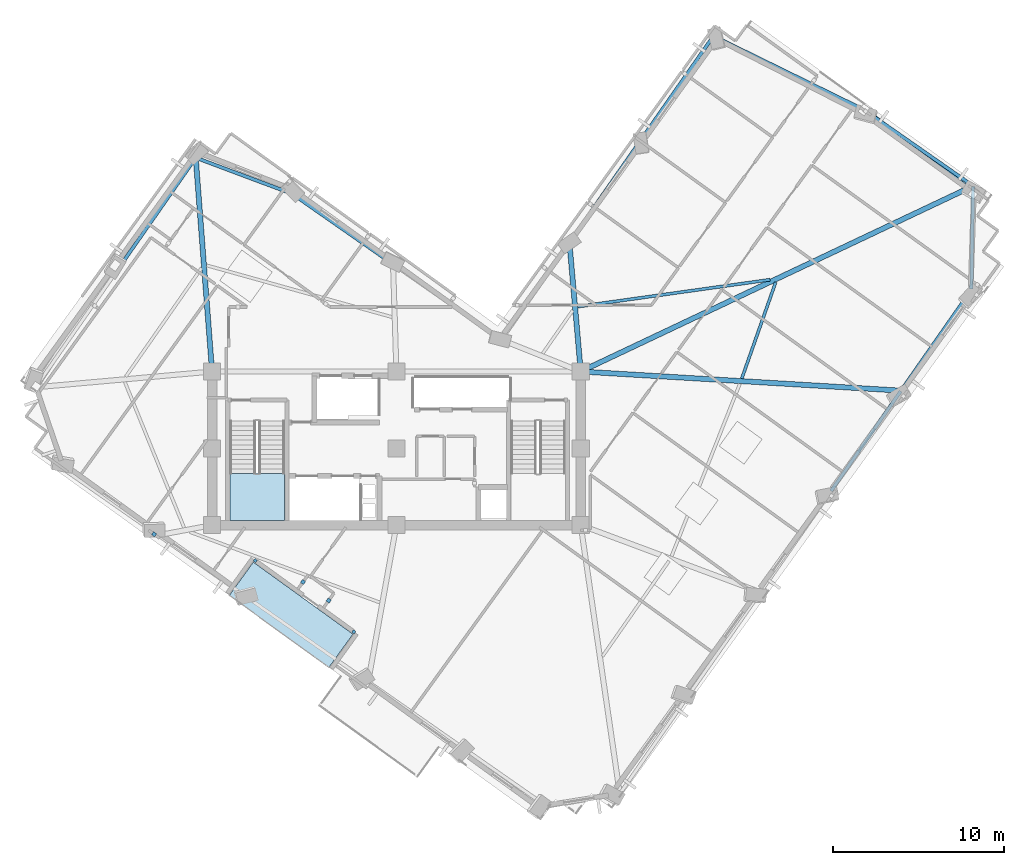
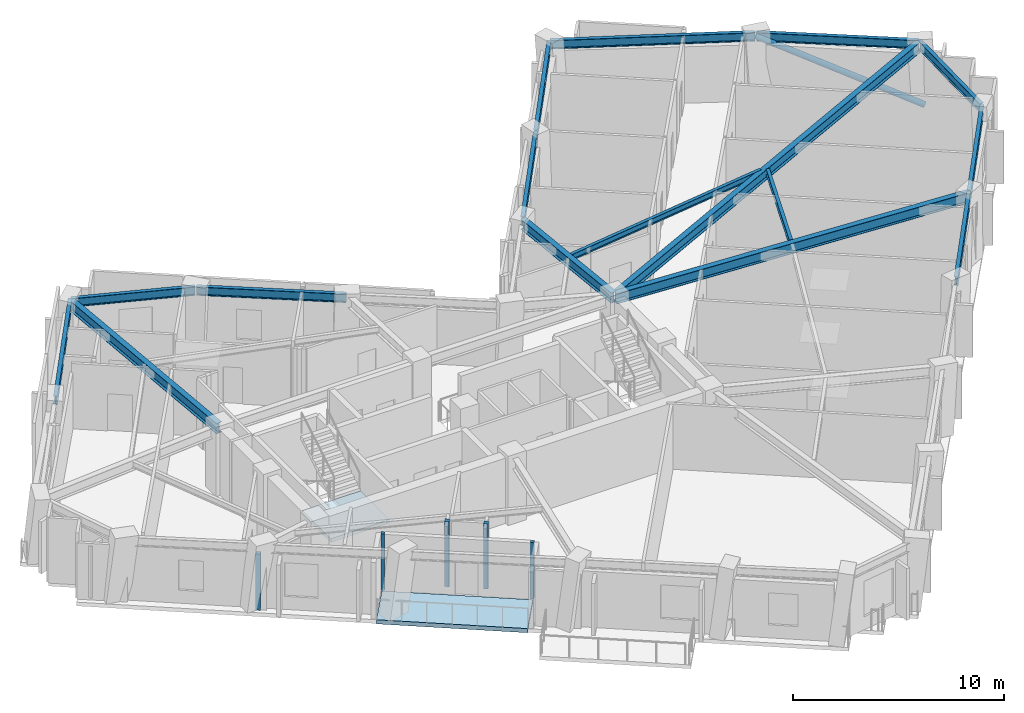
# One storey, part 2 of 13: 16 beams, 5 plates, 2 slabs, 1 member, 1 element without a shape of its own.
"""IFC4 building model written with IfcOpenShell, lengths in metres."""

import ifcopenshell
import ifcopenshell.guid

model = None  # the IFC model being written
_history = None  # IfcOwnerHistory: only IFC2X3 demands one
_inside = {}  # id of a spatial element -> (the spatial element, [elements in it])
_under = {}  # id of a project, library or spatial element -> (it, [spatial elements below it])
_declared = {}  # id of a project -> (the project, [libraries it declares])
_typed = {}  # id of a type object -> (the type object, [elements of that type])
_made_of = {}  # id of a material, layer set ... -> (it, [elements and type objects made of it])


def new_model(schema):
    """Start an empty IFC model of exactly this schema.

    Asked for "IFC4X3", IfcOpenShell would pick the latest addendum, in which some entities
    have other attributes; the version numbers below select the first issue.
    IFC2X3 requires an IfcOwnerHistory on every rooted entity: one is made here for all.
    """
    global model, _history
    if schema == "IFC4X3":
        model = ifcopenshell.file(schema_version=(4, 3, 0, 0))
    else:
        model = ifcopenshell.file(schema=schema)
    _inside.clear()
    _under.clear()
    _declared.clear()
    _typed.clear()
    _made_of.clear()
    _history = None
    if model.schema == "IFC2X3":
        org = make("IfcOrganization", Name="unknown")
        user = make(
            "IfcPersonAndOrganization",
            ThePerson=make("IfcPerson", FamilyName="unknown"),
            TheOrganization=org,
        )
        app = make(
            "IfcApplication",
            ApplicationDeveloper=org,
            Version="unknown",
            ApplicationFullName="unknown",
            ApplicationIdentifier="unknown",
        )
        _history = make(
            "IfcOwnerHistory",
            OwningUser=user,
            OwningApplication=app,
            ChangeAction="ADDED",
            CreationDate=0,
        )
    return model


def make(cls, **values):
    """One entity of the class cls with the attributes given. An attribute that is None is left unset."""
    return model.create_entity(
        cls, **{name: value for name, value in values.items() if value is not None}
    )


def rooted(cls, **values):
    """An entity with a GlobalId (a new one), such as an element, a storey or a relation."""
    return make(cls, GlobalId=ifcopenshell.guid.new(), OwnerHistory=_history, **values)


def si_unit(unit_type, name, prefix=None):
    """IfcSIUnit, for example si_unit("LENGTHUNIT", "METRE", prefix="MILLI")."""
    return make("IfcSIUnit", UnitType=unit_type, Prefix=prefix, Name=name)


def assignment(units):
    """IfcUnitAssignment: the units of a project."""
    return None if units is None else make("IfcUnitAssignment", Units=units)


def point(xyz):
    """IfcCartesianPoint."""
    return None if xyz is None else make("IfcCartesianPoint", Coordinates=xyz)


def direction(xyz):
    """IfcDirection."""
    return None if xyz is None else make("IfcDirection", DirectionRatios=xyz)


def frame(location, z_axis=None, x_axis=None):
    """IfcAxis2Placement3D, a coordinate frame: its origin and axes. An axis left out is left unset."""
    return make(
        "IfcAxis2Placement3D",
        Location=point(location),
        Axis=direction(z_axis),
        RefDirection=direction(x_axis),
    )


def frame_2d(location, x_axis=None):
    """IfcAxis2Placement2D, a coordinate frame in the plane: its origin and x axis."""
    return make(
        "IfcAxis2Placement2D", Location=point(location), RefDirection=direction(x_axis)
    )


def origin():
    """The frame at (0, 0, 0) with its axes left unset."""
    return frame((0.0, 0.0, 0.0))


def origin_2d():
    """The frame at (0, 0) in the plane with its x axis left unset."""
    return frame_2d((0.0, 0.0))


def place(relative_to, where):
    """IfcLocalPlacement: puts the frame where relative to a parent placement (None: the world)."""
    return make(
        "IfcLocalPlacement", PlacementRelTo=relative_to, RelativePlacement=where
    )


def context(
    kind, dimensions, precision=None, world=None, true_north=None, identifier=None
):
    """IfcGeometricRepresentationContext, for example the 3D "Model" context."""
    return make(
        "IfcGeometricRepresentationContext",
        ContextIdentifier=identifier,
        ContextType=kind,
        CoordinateSpaceDimension=dimensions,
        Precision=precision,
        WorldCoordinateSystem=world,
        TrueNorth=true_north,
    )


def subcontext(parent, identifier, kind, view, scale=None):
    """IfcGeometricRepresentationSubContext, for example "Body" below "Model"."""
    return make(
        "IfcGeometricRepresentationSubContext",
        ContextIdentifier=identifier,
        ContextType=kind,
        ParentContext=parent,
        TargetScale=scale,
        TargetView=view,
    )


def project(units=None, contexts=None):
    """IfcProject with its units and contexts."""
    return rooted(
        "IfcProject",
        Name="project",
        RepresentationContexts=contexts,
        UnitsInContext=assignment(units),
    )


def spatial(cls, under=None, at=None, **own):
    """A site, building, storey or space (cls), placed at a placement, below another one or the project."""
    s = rooted(cls, ObjectPlacement=at, **own)
    if under is not None:
        _under.setdefault(under.id(), (under, []))[1].append(s)
    return s


def polyline(points):
    """IfcPolyline through the points."""
    return make("IfcPolyline", Points=[point(p) for p in points])


def profile(cls, at=None, kind="AREA", **sizes):
    """A parametric profile (cls). Its sizes go by their IFC names, for example OverallWidth=200.0."""
    return make(cls, ProfileType=kind, Position=at, **sizes)


def rectangle(**sizes):
    """IfcRectangleProfileDef."""
    return profile("IfcRectangleProfileDef", **sizes)


def hollow_circle(**sizes):
    """IfcCircleHollowProfileDef."""
    return profile("IfcCircleHollowProfileDef", **sizes)


def i_section(**sizes):
    """IfcIShapeProfileDef."""
    return profile("IfcIShapeProfileDef", **sizes)


def outline(outer, holes=None, kind="AREA"):
    """IfcArbitraryClosedProfileDef: a profile drawn as a closed curve; with holes, ...WithVoids."""
    if holes is None:
        return make("IfcArbitraryClosedProfileDef", ProfileType=kind, OuterCurve=outer)
    return make(
        "IfcArbitraryProfileDefWithVoids",
        ProfileType=kind,
        OuterCurve=outer,
        InnerCurves=holes,
    )


def extrude(swept, where, along, depth):
    """IfcExtrudedAreaSolid: the profile swept, set in the frame where, extruded along a direction by depth."""
    return make(
        "IfcExtrudedAreaSolid",
        SweptArea=swept,
        Position=where,
        ExtrudedDirection=direction(along),
        Depth=depth,
    )


def shape(context_of_items, identifier, shape_type, items):
    """IfcShapeRepresentation: the items that make up one representation, for example the "Body"."""
    return make(
        "IfcShapeRepresentation",
        ContextOfItems=context_of_items,
        RepresentationIdentifier=identifier,
        RepresentationType=shape_type,
        Items=items,
    )


def material(Name=None, Category=None):
    """IfcMaterial."""
    return make("IfcMaterial", Name=Name, Category=Category)


def layer(
    of_material, thickness, ventilated=None, Name=None, Category=None, Priority=None
):
    """IfcMaterialLayer: one layer of a wall or slab, of a material (None: an air gap)."""
    return make(
        "IfcMaterialLayer",
        Material=of_material,
        LayerThickness=thickness,
        IsVentilated=ventilated,
        Name=Name,
        Category=Category,
        Priority=Priority,
    )


def layer_set(layers, Name=None):
    """IfcMaterialLayerSet."""
    return make("IfcMaterialLayerSet", MaterialLayers=layers, LayerSetName=Name)


def material_profile(
    of_material, cross_section, Name=None, Category=None, Priority=None
):
    """IfcMaterialProfile: a cross section and its material."""
    return make(
        "IfcMaterialProfile",
        Name=Name,
        Material=of_material,
        Profile=cross_section,
        Priority=Priority,
        Category=Category,
    )


def profile_set(profiles, Name=None, composite=None):
    """IfcMaterialProfileSet."""
    return make(
        "IfcMaterialProfileSet",
        Name=Name,
        MaterialProfiles=profiles,
        CompositeProfile=composite,
    )


def made_of(thing, what):
    """Note that an element or type object is made of a material, layer set ...; save() writes the relation."""
    if what is not None:
        _made_of.setdefault(what.id(), (what, []))[1].append(thing)
    return thing


def type_object(cls, material=None, **own):
    """A type object (cls), such as IfcWallType, which elements share."""
    return made_of(rooted(cls, **own), material)


def element(
    cls,
    number,
    at=None,
    inside=None,
    cuts=None,
    type_object=None,
    material=None,
    context=None,
    identifier="Body",
    shape_type=None,
    held_by="IfcProductDefinitionShape",
    body=None,
    shapes=None,
    **own,
):
    """One element of the class cls, such as IfcWall. Its Tag is "e" and its number.

    at: its placement. inside: the storey or other place that contains it. cuts: it is an
    opening in that element (IfcRelVoidsElement). A single representation is given by context,
    identifier, shape_type and body (its items); several are given by shapes. held_by: the class
    of the entity that holds the representations. save() writes the other relations.
    """
    e = rooted(cls, Tag="e%d" % number, ObjectPlacement=at, **own)
    if body is not None:
        shapes = [shape(context, identifier, shape_type, body)]
    if shapes is not None:
        e.Representation = make(held_by, Representations=shapes)
    if inside is not None:
        _inside.setdefault(inside.id(), (inside, []))[1].append(e)
    if cuts is not None:
        rooted(
            "IfcRelVoidsElement", RelatingBuildingElement=cuts, RelatedOpeningElement=e
        )
    if type_object is not None:
        _typed.setdefault(type_object.id(), (type_object, []))[1].append(e)
    return made_of(e, material)


def aggregate(whole, parts):
    """IfcRelAggregates: a whole, such as a stair, and the parts it consists of."""
    return rooted("IfcRelAggregates", RelatingObject=whole, RelatedObjects=parts)


def save(model, path):
    """Write the relations noted so far, then the file.

    IfcRelAggregates (storeys below a building ...), IfcRelContainedInSpatialStructure (elements
    in a storey), IfcRelDefinesByType, IfcRelAssociatesMaterial and IfcRelDeclares: one each for
    every whole, place, type object, material and project.
    """
    for whole, parts in _under.values():
        aggregate(whole, parts)
    for where, things in _inside.values():
        rooted(
            "IfcRelContainedInSpatialStructure",
            RelatedElements=things,
            RelatingStructure=where,
        )
    for kind, things in _typed.values():
        rooted("IfcRelDefinesByType", RelatedObjects=things, RelatingType=kind)
    for what, things in _made_of.values():
        rooted("IfcRelAssociatesMaterial", RelatedObjects=things, RelatingMaterial=what)
    for by, libraries in _declared.values():
        rooted("IfcRelDeclares", RelatingContext=by, RelatedDefinitions=libraries)
    model.write(path)


model = new_model("IFC4")

# Units and contexts
model_context = context("Model", 3, precision=1e-05, world=origin(), true_north=direction((0.0, 1.0)))
body_context = subcontext(model_context, "Body", "Model", "MODEL_VIEW")
ifc_project = project(units=[si_unit("LENGTHUNIT", "METRE"), si_unit("AREAUNIT", "SQUARE_METRE"), si_unit("VOLUMEUNIT", "CUBIC_METRE"), si_unit("PLANEANGLEUNIT", "RADIAN"), si_unit("MASSUNIT", "GRAM", prefix="KILO")], contexts=[model_context])

# Site, building, storey
site_placement = place(None, origin())
site = spatial("IfcSite", under=ifc_project, at=site_placement, CompositionType="ELEMENT")
building_placement = place(site_placement, origin())
building = spatial("IfcBuilding", under=site, at=building_placement, Name="Gaonmaruhae Medical Tower", CompositionType="ELEMENT")
storey_placement = place(building_placement, frame((0.0, 0.0, 255.199951171875)))
storey = spatial("IfcBuildingStorey", under=building, at=storey_placement, Name="L61", CompositionType="ELEMENT", Elevation=255.199951171875)

# Beams
ifc_material_1 = material(Name="Steel SM355", Category="steel")
ifc_material_profile_1 = material_profile(ifc_material_1, i_section(OverallWidth=0.175048828125, OverallDepth=0.35009765625, WebThickness=0.007080078125, FlangeThickness=0.010986328125, FilletRadius=0.012939453125, at=origin_2d()), Name="H-350x175x7x11")
ifc_profile_set_1 = profile_set([ifc_material_profile_1], Name="Steel SM355")
beam_type_1 = type_object("IfcBeamType", Name="FJ-02 Upper Zone Ward Floor Joist (H-350x175x7x11)", PredefinedType="JOIST", material=ifc_profile_set_1)
beam_1_placement = place(storey_placement, frame((45.03662109375, 16.39208984375, 3.60498046875), z_axis=(0.331978226293, 0.943287049242, 0.0), x_axis=(-0.943287049242, 0.331978226293, 0.0)))
element("IfcBeam", 1, at=beam_1_placement, inside=storey, type_object=beam_type_1, Name="L61 Secondary Floor Joist FJ03", PredefinedType="JOIST", context=body_context, shape_type="SweptSolid", body=[
    extrude(i_section(OverallWidth=0.175048828125, OverallDepth=0.35009765625, WebThickness=0.007080078125, FlangeThickness=0.010986328125, FilletRadius=0.012939453125, at=origin_2d()), origin(), (0.0, 0.0, 1.0), 5.9775390625),
])
beam_2_placement = place(storey_placement, frame((46.6962890625, 22.1796875, 3.60498046875), z_axis=(-0.990320473944, -0.138799707806, 0.0), x_axis=(0.138799707806, -0.990320473944, 0.0)))
element("IfcBeam", 2, at=beam_2_placement, inside=storey, type_object=beam_type_1, Name="L61 Secondary Floor Joist FJ04", PredefinedType="JOIST", context=body_context, shape_type="SweptSolid", body=[
    extrude(i_section(OverallWidth=0.175048828125, OverallDepth=0.35009765625, WebThickness=0.007080078125, FlangeThickness=0.010986328125, FilletRadius=0.012939453125, at=origin_2d()), origin(), (0.0, 0.0, 1.0), 11.3837890625),
])

# Member
ifc_material_profile_2 = material_profile(ifc_material_1, hollow_circle(Radius=0.1591796875, WallThickness=0.01025390625, at=origin_2d()), Name="CHS-318.5x10.3")
ifc_profile_set_2 = profile_set([ifc_material_profile_2], Name="Steel SM355")
member_type = type_object("IfcMemberType", Name="PB-03 Perimeter Solid-Bay Tube Brace Upper (CHS-318.5x10.3)", PredefinedType="BRACE", material=ifc_profile_set_2)
member_placement = place(storey_placement, frame((58.63037109375, 27.255859375, 0.25), z_axis=(-0.738686862007, 0.559334677425, 0.376146831074), x_axis=(-0.603668014775, -0.797235804476, 0.0)))
element("IfcMember", 3, at=member_placement, inside=storey, type_object=member_type, Name="L61 Perimeter Tube Solid-Bay Brace E01-E02", PredefinedType="BRACE", context=body_context, shape_type="SweptSolid", body=[
    extrude(hollow_circle(Radius=0.1591796875, WallThickness=0.01025390625, at=origin_2d()), origin(), (0.0, 0.0, 1.0), 8.719970703125),
])

# Beams
ifc_material_2 = material(Name="Steel SM420", Category="steel")
ifc_material_profile_3 = material_profile(ifc_material_2, i_section(OverallWidth=0.300048828125, OverallDepth=0.60009765625, WebThickness=0.011962890625, FlangeThickness=0.02001953125, FilletRadius=0.012939453125, at=origin_2d()), Name="H-600x300x12x20")
ifc_profile_set_3 = profile_set([ifc_material_profile_3], Name="Steel SM420")
beam_type_2 = type_object("IfcBeamType", Name="PG-04 Zone 4 Radial Floor Girder (H-600x300x12x20)", PredefinedType="BEAM", material=ifc_profile_set_3)
beam_3_placement = place(storey_placement, frame((35.64990234375, 16.797119140625, 3.47998046875), z_axis=(0.998218370386, -0.059666448057, 0.0), x_axis=(0.059666448057, 0.998218370386, 0.0)))
element("IfcBeam", 4, at=beam_3_placement, inside=storey, type_object=beam_type_2, Name="L61 Radial Primary Girder S05", PredefinedType="BEAM", context=body_context, shape_type="SweptSolid", body=[
    extrude(i_section(OverallWidth=0.300048828125, OverallDepth=0.60009765625, WebThickness=0.011962890625, FlangeThickness=0.02001953125, FilletRadius=0.012939453125, at=origin_2d()), origin(), (0.0, 0.0, 1.0), 18.69921875),
])
beam_4_placement = place(storey_placement, frame((35.645263671875, 16.8212890625, 3.47998046875), z_axis=(0.90400284208, 0.427526445394, 0.0), x_axis=(-0.427526445394, 0.90400284208, 0.0)))
element("IfcBeam", 5, at=beam_4_placement, inside=storey, type_object=beam_type_2, Name="L61 Radial Primary Girder E01", PredefinedType="BEAM", context=body_context, shape_type="SweptSolid", body=[
    extrude(i_section(OverallWidth=0.300048828125, OverallDepth=0.60009765625, WebThickness=0.011962890625, FlangeThickness=0.02001953125, FilletRadius=0.012939453125, at=origin_2d()), origin(), (0.0, 0.0, 1.0), 25.326904296875),
])
beam_5_placement = place(storey_placement, frame((35.595703125, 16.849853515625, 3.47998046875), z_axis=(-0.087547295914, 0.996160364087, 0.0), x_axis=(-0.996160364087, -0.087547295914, 0.0)))
element("IfcBeam", 6, at=beam_5_placement, inside=storey, type_object=beam_type_2, Name="L61 Radial Primary Girder EN02", PredefinedType="BEAM", context=body_context, shape_type="SweptSolid", body=[
    extrude(i_section(OverallWidth=0.300048828125, OverallDepth=0.60009765625, WebThickness=0.011962890625, FlangeThickness=0.02001953125, FilletRadius=0.012939453125, at=origin_2d()), origin(), (0.0, 0.0, 1.0), 7.48486328125),
])
beam_6_placement = place(storey_placement, frame((13.99609375, 16.849853515625, 3.47998046875), z_axis=(-0.076224602308, 0.997090672909, 0.0), x_axis=(-0.997090672909, -0.076224602308, 0.0)))
element("IfcBeam", 7, at=beam_6_placement, inside=storey, type_object=beam_type_2, Name="L61 Radial Primary Girder N01", PredefinedType="BEAM", context=body_context, shape_type="SweptSolid", body=[
    extrude(i_section(OverallWidth=0.300048828125, OverallDepth=0.60009765625, WebThickness=0.011962890625, FlangeThickness=0.02001953125, FilletRadius=0.012939453125, at=origin_2d()), origin(), (0.0, 0.0, 1.0), 12.462646484375),
])
ifc_material_profile_4 = material_profile(ifc_material_1, i_section(OverallWidth=0.199951171875, OverallDepth=0.5, WebThickness=0.010009765625, FlangeThickness=0.01611328125, FilletRadius=0.012939453125, at=origin_2d()), Name="H-500x200x10x16")
ifc_profile_set_4 = profile_set([ifc_material_profile_4], Name="Steel SM355")
beam_type_3 = type_object("IfcBeamType", Name="SP-02 Upper Perimeter Spandrel Beam (H-500x200x10x16)", PredefinedType="SPANDREL", material=ifc_profile_set_4)
beam_7_placement = place(storey_placement, frame((50.269287109375, 9.80615234375, 3.530029296875), z_axis=(0.572159068591, 0.820142670655, 0.0), x_axis=(-0.820142670655, 0.572159068591, 0.0)))
element("IfcBeam", 8, at=beam_7_placement, inside=storey, type_object=beam_type_3, Name="L61 Perimeter Spandrel Beam S04-S05", PredefinedType="SPANDREL", context=body_context, shape_type="SweptSolid", body=[
    extrude(i_section(OverallWidth=0.199951171875, OverallDepth=0.5, WebThickness=0.010009765625, FlangeThickness=0.01611328125, FilletRadius=0.012939453125, at=origin_2d()), origin(), (0.0, 0.0, 1.0), 7.119873046875),
])
beam_8_placement = place(storey_placement, frame((54.388671875, 15.711181640625, 3.530029296875), z_axis=(0.572142978389, 0.820153895486, 0.0), x_axis=(-0.820153895486, 0.572142978389, 0.0)))
element("IfcBeam", 9, at=beam_8_placement, inside=storey, type_object=beam_type_3, Name="L61 Perimeter Spandrel Beam S05-S06", PredefinedType="SPANDREL", context=body_context, shape_type="SweptSolid", body=[
    extrude(i_section(OverallWidth=0.199951171875, OverallDepth=0.5, WebThickness=0.010009765625, FlangeThickness=0.01611328125, FilletRadius=0.012939453125, at=origin_2d()), origin(), (0.0, 0.0, 1.0), 7.1201171875),
])
beam_9_placement = place(storey_placement, frame((58.48583984375, 21.62353515625, 3.530029296875), z_axis=(0.016579716285, 0.999862547057, 0.0), x_axis=(-0.999862547057, 0.016579716285, 0.0)))
element("IfcBeam", 10, at=beam_9_placement, inside=storey, type_object=beam_type_3, Name="L61 Perimeter Spandrel Beam S06-E01", PredefinedType="SPANDREL", context=body_context, shape_type="SweptSolid", body=[
    extrude(i_section(OverallWidth=0.199951171875, OverallDepth=0.5, WebThickness=0.010009765625, FlangeThickness=0.01611328125, FilletRadius=0.012939453125, at=origin_2d()), origin(), (0.0, 0.0, 1.0), 6.0078125),
])
beam_10_placement = place(storey_placement, frame((58.55322265625, 27.693359375, 3.530029296875), z_axis=(-0.820149041353, 0.572149936614, 0.0), x_axis=(-0.572149936614, -0.820149041353, 0.0)))
element("IfcBeam", 11, at=beam_10_placement, inside=storey, type_object=beam_type_3, Name="L61 Perimeter Spandrel Beam E01-E02", PredefinedType="SPANDREL", context=body_context, shape_type="SweptSolid", body=[
    extrude(i_section(OverallWidth=0.199951171875, OverallDepth=0.5, WebThickness=0.010009765625, FlangeThickness=0.01611328125, FilletRadius=0.012939453125, at=origin_2d()), origin(), (0.0, 0.0, 1.0), 7.719970703125),
])
beam_11_placement = place(storey_placement, frame((52.153076171875, 32.15087890625, 3.530029296875), z_axis=(-0.89795492386, 0.440087439853, 0.0), x_axis=(-0.440087439853, -0.89795492386, 0.0)))
element("IfcBeam", 12, at=beam_11_placement, inside=storey, type_object=beam_type_3, Name="L61 Perimeter Spandrel Beam E02-E03", PredefinedType="SPANDREL", context=body_context, shape_type="SweptSolid", body=[
    extrude(i_section(OverallWidth=0.199951171875, OverallDepth=0.5, WebThickness=0.010009765625, FlangeThickness=0.01611328125, FilletRadius=0.012939453125, at=origin_2d()), origin(), (0.0, 0.0, 1.0), 9.7353515625),
])
beam_12_placement = place(storey_placement, frame((43.352294921875, 36.420166015625, 3.530029296875), z_axis=(-0.572134563153, -0.820159765927, 0.0), x_axis=(0.820159765927, -0.572134563153, 0.0)))
element("IfcBeam", 13, at=beam_12_placement, inside=storey, type_object=beam_type_3, Name="L61 Perimeter Spandrel Beam E03-EN01", PredefinedType="SPANDREL", context=body_context, shape_type="SweptSolid", body=[
    extrude(i_section(OverallWidth=0.199951171875, OverallDepth=0.5, WebThickness=0.010009765625, FlangeThickness=0.01611328125, FilletRadius=0.012939453125, at=origin_2d()), origin(), (0.0, 0.0, 1.0), 7.47021484375),
])
beam_13_placement = place(storey_placement, frame((39.03271484375, 30.22802734375, 3.530029296875), z_axis=(-0.572142978389, -0.820153895486, 0.0), x_axis=(0.820153895486, -0.572142978389, 0.0)))
element("IfcBeam", 14, at=beam_13_placement, inside=storey, type_object=beam_type_3, Name="L61 Perimeter Spandrel Beam EN01-EN02", PredefinedType="SPANDREL", context=body_context, shape_type="SweptSolid", body=[
    extrude(i_section(OverallWidth=0.199951171875, OverallDepth=0.5, WebThickness=0.010009765625, FlangeThickness=0.01611328125, FilletRadius=0.012939453125, at=origin_2d()), origin(), (0.0, 0.0, 1.0), 7.1201171875),
])
beam_14_placement = place(storey_placement, frame((24.570556640625, 23.112548828125, 3.530029296875), z_axis=(-0.820142670655, 0.572159068591, 0.0), x_axis=(-0.572159068591, -0.820142670655, 0.0)))
element("IfcBeam", 15, at=beam_14_placement, inside=storey, type_object=beam_type_3, Name="L61 Perimeter Spandrel Beam NE01-NE02", PredefinedType="SPANDREL", context=body_context, shape_type="SweptSolid", body=[
    extrude(i_section(OverallWidth=0.199951171875, OverallDepth=0.5, WebThickness=0.010009765625, FlangeThickness=0.01611328125, FilletRadius=0.012939453125, at=origin_2d()), origin(), (0.0, 0.0, 1.0), 7.119873046875),
])
beam_15_placement = place(storey_placement, frame((18.660888671875, 27.22314453125, 3.530029296875), z_axis=(-0.936551232781, 0.35053072387, 0.0), x_axis=(-0.35053072387, -0.936551232781, 0.0)))
element("IfcBeam", 16, at=beam_15_placement, inside=storey, type_object=beam_type_3, Name="L61 Perimeter Spandrel Beam NE02-N01", PredefinedType="SPANDREL", context=body_context, shape_type="SweptSolid", body=[
    extrude(i_section(OverallWidth=0.199951171875, OverallDepth=0.5, WebThickness=0.010009765625, FlangeThickness=0.01611328125, FilletRadius=0.012939453125, at=origin_2d()), origin(), (0.0, 0.0, 1.0), 5.959228515625),
])
beam_16_placement = place(storey_placement, frame((13.019287109375, 29.293212890625, 3.530029296875), z_axis=(-0.572137856962, -0.820157468192, 0.0), x_axis=(0.820157468192, -0.572137856962, 0.0)))
element("IfcBeam", 17, at=beam_16_placement, inside=storey, type_object=beam_type_3, Name="L61 Perimeter Spandrel Beam N01-N02", PredefinedType="SPANDREL", context=body_context, shape_type="SweptSolid", body=[
    extrude(i_section(OverallWidth=0.199951171875, OverallDepth=0.5, WebThickness=0.010009765625, FlangeThickness=0.01611328125, FilletRadius=0.012939453125, at=origin_2d()), origin(), (0.0, 0.0, 1.0), 8.119873046875),
])

# Plates
ifc_material_3 = material(Name="Anodised aluminium 6063-T6", Category="aluminium")
ifc_layer_1 = layer(ifc_material_3, 0.011962890625)
ifc_layer_set_1 = layer_set([ifc_layer_1], Name="Anodised aluminium 6063-T6")
plate_type = type_object("IfcPlateType", Name="PP-01 Interior Partition Corner Stiffener Plate", PredefinedType="SHEET", material=ifc_layer_set_1)
for number, where, z_axis, x_axis, name in (
    (18, (22.303955078125, 1.55126953125, 0.0), (0.0, 0.0, 1.0), (-0.810553038353, 0.585665238866, 0.0), "L61 Partition End Jamb Post Plate PLT-L61-ENDP-TERB-0"),
    (19, (16.532958984375, 5.72119140625, 0.0), (0.0, 0.0, 1.0), (-0.810553038353, 0.585665238866, 0.0), "L61 Partition End Jamb Post Plate PLT-L61-ENDP-TERB-1"),
):
    element("IfcPlate", number, at=place(storey_placement, frame(where, z_axis=z_axis, x_axis=x_axis)), inside=storey, type_object=plate_type, Name=name, PredefinedType="SHEET", context=body_context, shape_type="SweptSolid", body=[
        extrude(rectangle(XDim=0.179931640625, YDim=0.179931640625, at=origin_2d()), origin(), (0.0, 0.0, 1.0), 3.264892578125),
    ])
for number, where, z_axis, x_axis, name in (
    (20, (20.83251953125, 3.382568359375, 0.0), (0.0, 0.0, 1.0), (0.585184143922, 0.810900436369, 0.0), "L61 Partition Corner Stiffener Plate PLT-L61-JGP-PW037"),
    (21, (19.3291015625, 4.468994140625, 0.0), (0.0, 0.0, 1.0), (-0.585353965676, -0.810777857904, 0.0), "L61 Partition Corner Stiffener Plate PLT-L61-JGP-PW041"),
):
    element("IfcPlate", number, at=place(storey_placement, frame(where, z_axis=z_axis, x_axis=x_axis)), inside=storey, type_object=plate_type, Name=name, PredefinedType="SHEET", context=body_context, shape_type="SweptSolid", body=[
        extrude(rectangle(XDim=0.219970703125, YDim=0.219970703125, at=origin_2d()), origin(), (0.0, 0.0, 1.0), 3.780029296875),
    ])
plate_placement = place(storey_placement, frame((10.60302734375, 7.26708984375, 0.0), z_axis=(0.0, 0.0, 1.0), x_axis=(-0.810614364629, 0.585580354739, 0.0)))
element("IfcPlate", 22, at=plate_placement, inside=storey, type_object=plate_type, Name="L61 Partition Corner Stiffener Plate PLT-L61-JGP-PW042", PredefinedType="SHEET", context=body_context, shape_type="SweptSolid", body=[
    extrude(rectangle(XDim=0.219970703125, YDim=0.219970703125, at=origin_2d()), origin(), (0.0, 0.0, 1.0), 3.2451171875),
])

# Stair, slab
ifc_material_4 = material(Name="Concrete C40/50", Category="concrete")
stair_type = type_object("IfcStairType", Name="ST-T1 Primary Core Escape Dogleg Stair", PredefinedType="TWO_QUARTER_TURN_STAIR", material=ifc_material_4)
stair_placement = place(storey_placement, origin())
stair = element("IfcStair", 23, at=stair_placement, inside=storey, type_object=stair_type, Name="L61 Protected Escape Stair ST-01", PredefinedType="TWO_QUARTER_TURN_STAIR")
ifc_layer_2 = layer(ifc_material_4, 0.199951171875)
ifc_layer_set_2 = layer_set([ifc_layer_2], Name="Concrete C40/50")
slab_type_1 = type_object("IfcSlabType", Name="SL-200 Stair & Ramp Intermediate Concrete Landing", PredefinedType="LANDING", material=ifc_layer_set_2)
slab_1_placement = place(storey_placement, frame((0.0, 0.0, 1.800048828125)))
slab_1 = element("IfcSlab", 24, at=slab_1_placement, type_object=slab_type_1, Name="ST-01 landing 1", PredefinedType="LANDING", context=body_context, shape_type="SweptSolid", body=[
    extrude(outline(polyline([(15.050048828125, 10.820068359375), (15.050048828125, 8.0791015625), (18.25, 8.0791015625), (18.25, 10.820068359375), (15.050048828125, 10.820068359375)])), origin(), (0.0, 0.0, 1.0), 0.199951171875),
])
aggregate(stair, [slab_1])

# Slab
ifc_layer_3 = layer(ifc_material_4, 0.239990234375)
ifc_layer_set_3 = layer_set([ifc_layer_3], Name="Concrete C40/50")
slab_type_2 = type_object("IfcSlabType", Name="TS-240 Sky Garden & Recovery Terrace Slab", PredefinedType="FLOOR", material=ifc_layer_set_3)
slab_2_placement = place(storey_placement, frame((0.0, 0.0, -0.239990234375)))
element("IfcSlab", 25, at=slab_2_placement, inside=storey, type_object=slab_type_2, Name="L61 Outdoor Recovery Terrace Slab", PredefinedType="FLOOR", context=body_context, shape_type="SweptSolid", body=[
    extrude(outline(polyline([(20.848876953125, -0.531005859375), (22.25439453125, 1.414306640625), (16.41845703125, 5.631103515625), (15.012939453125, 3.685791015625), (20.848876953125, -0.531005859375)])), origin(), (0.0, 0.0, 1.0), 0.239990234375),
])

save(model, "model.ifc")
